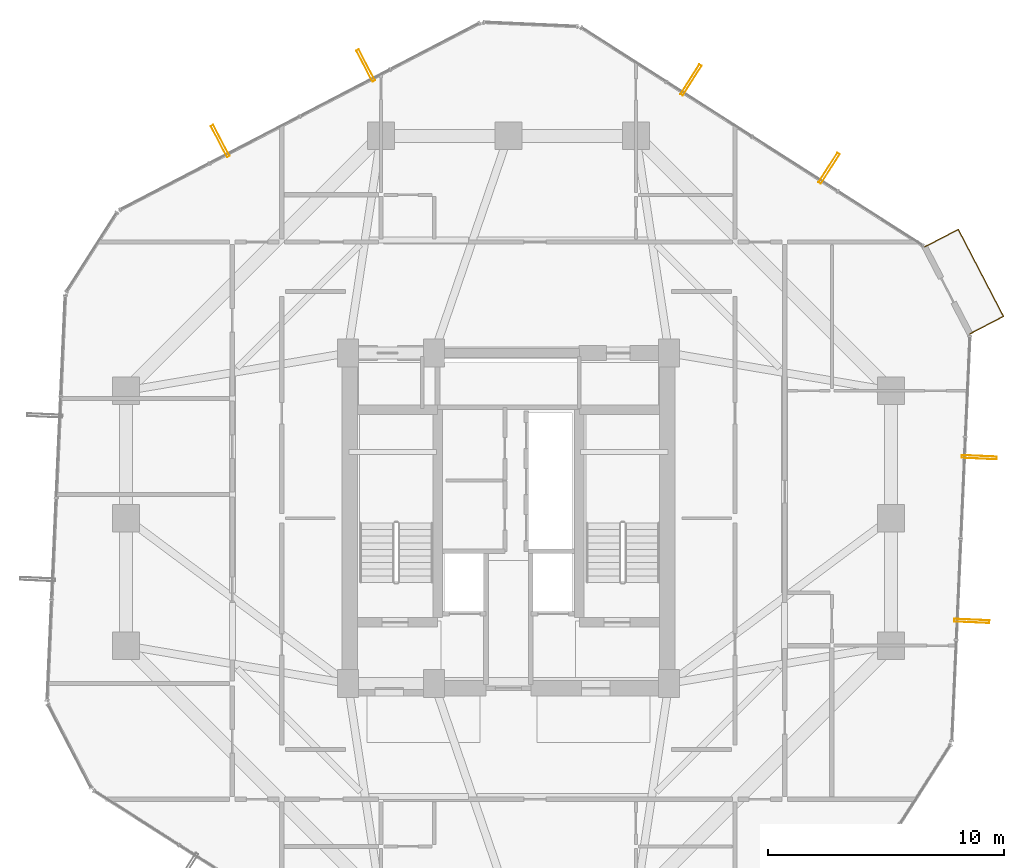
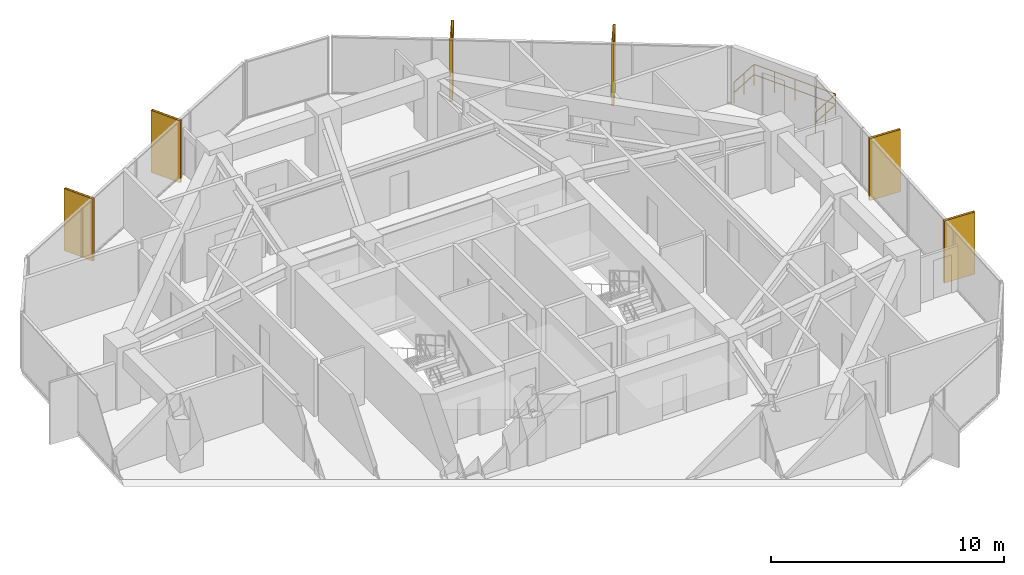
# One storey, part 30 of 30: 6 shading devices, 1 railing.
"""IFC4 building model written with IfcOpenShell, lengths in metres."""

from ifc_helpers import new_model, si_unit, direction, frame, origin, origin_2d, place, context, subcontext, project, spatial, hollow_rectangle, circle, extrude, material, material_profile, profile_set, type_object, element, save


model = new_model("IFC4")

# Units and contexts
model_context = context("Model", 3, precision=1e-05, world=origin(), true_north=direction((0.0, 1.0)))
body_context = subcontext(model_context, "Body", "Model", "MODEL_VIEW")
ifc_project = project(units=[si_unit("LENGTHUNIT", "METRE"), si_unit("AREAUNIT", "SQUARE_METRE"), si_unit("VOLUMEUNIT", "CUBIC_METRE"), si_unit("PLANEANGLEUNIT", "RADIAN"), si_unit("MASSUNIT", "GRAM", prefix="KILO")], contexts=[model_context])

# Site, building, storey
site_placement = place(None, origin())
site = spatial("IfcSite", under=ifc_project, at=site_placement, CompositionType="ELEMENT")
building_placement = place(site_placement, origin())
building = spatial("IfcBuilding", under=site, at=building_placement, Name="Veraguas Prism Commons", CompositionType="ELEMENT")
storey_placement = place(building_placement, frame((0.0, 0.0, 119.75)))
storey = spatial("IfcBuildingStorey", under=building, at=storey_placement, Name="L33", CompositionType="ELEMENT", Elevation=119.75)

# Shading devices
ifc_material_1 = material(Name="Anodised aluminium EN AW-6063 T6", Category="aluminium")
ifc_material_profile = material_profile(ifc_material_1, hollow_rectangle(XDim=0.1201171875, YDim=1.489990234375, WallThickness=0.006103515625, at=origin_2d()), Name="FIN120X1490X6")
ifc_profile_set = profile_set([ifc_material_profile], Name="Anodised aluminium EN AW-6063 T6")
shading_device_type = type_object("IfcShadingDeviceType", Name="Deep Pale-Metal Vertical Solar Fin 120x1490", PredefinedType="USERDEFINED", material=ifc_profile_set)
for number, where, z_axis, x_axis, name in (
    (1, (37.58544921875, 38.826416015625, -0.22998046875), (0.0, 0.0, 1.0), (-0.842828324641, 0.538182511035, 0.0), "Vertical Pale-Metal Solar Fin L33-F1A"),
    (2, (31.734619140625, 42.562255859375, -0.22998046875), (0.0, 0.0, 1.0), (-0.842828324641, 0.538182511035, 0.0), "Vertical Pale-Metal Solar Fin L33-F1B"),
    (3, (17.95263671875, 43.178466796875, -0.22998046875), (0.0, 0.0, 1.0), (-0.887494693029, -0.460817935681, 0.0), "Vertical Pale-Metal Solar Fin L33-F2A"),
    (4, (11.7919921875, 39.9794921875, -0.22998046875), (0.0, 0.0, 1.0), (-0.887494693029, -0.460817935681, 0.0), "Vertical Pale-Metal Solar Fin L33-F2B"),
    (5, (43.632568359375, 19.64794921875, -0.22998046875), (0.0, 0.0, 1.0), (0.044669051283, 0.999001839767, 0.0), "Vertical Pale-Metal Solar Fin L33-F6A"),
    (6, (43.942626953125, 26.582763671875, -0.22998046875), (0.0, 0.0, 1.0), (0.044669051283, 0.999001839767, 0.0), "Vertical Pale-Metal Solar Fin L33-F6B"),
):
    element("IfcShadingDevice", number, at=place(storey_placement, frame(where, z_axis=z_axis, x_axis=x_axis)), inside=storey, type_object=shading_device_type, Name=name, ObjectType="FIN", PredefinedType="USERDEFINED", context=body_context, shape_type="SweptSolid", body=[
        extrude(hollow_rectangle(XDim=0.1201171875, YDim=1.489990234375, WallThickness=0.006103515625, at=origin_2d()), origin(), (0.0, 0.0, 1.0), 3.25),
    ])

# Railing
ifc_material_2 = material(Name="Stainless steel AISI 316", Category="steel")
railing_type = type_object("IfcRailingType", Name="Loggia and Sky Pool Glazed Balustrade 1120", PredefinedType="BALUSTRADE", material=ifc_material_2)
railing_placement = place(storey_placement, frame((43.55078125, 31.811767578125, 0.0)))
element("IfcRailing", 7, at=railing_placement, inside=storey, type_object=railing_type, Name="Recessed Corner Loggia L33-C1 Guard", PredefinedType="BALUSTRADE", context=body_context, shape_type="SweptSolid", body=[
    extrude(circle(Radius=0.02392578125, at=origin_2d()), frame((0.0, 0.0, 1.09619140625), z_axis=(0.887518875046, 0.460771360261, 0.0), x_axis=(-0.460771360261, 0.887518875046, 0.0)), (0.0, 0.0, 1.0), 1.60009765625),
    extrude(circle(Radius=0.02392578125, at=origin_2d()), frame((0.0, 0.0, 0.56005859375), z_axis=(0.887518875046, 0.460771360261, 0.0), x_axis=(-0.460771360261, 0.887518875046, 0.0)), (0.0, 0.0, 1.0), 1.60009765625),
    extrude(circle(Radius=0.02392578125, at=origin_2d()), frame((1.420166015625, 0.7373046875, 1.09619140625), z_axis=(-0.460869584981, 0.887467873018, 0.0), x_axis=(-0.887467873018, -0.460869584981, 0.0)), (0.0, 0.0, 1.0), 4.153076171875),
    extrude(circle(Radius=0.02392578125, at=origin_2d()), frame((1.420166015625, 0.7373046875, 0.56005859375), z_axis=(-0.460869584981, 0.887467873018, 0.0), x_axis=(-0.887467873018, -0.460869584981, 0.0)), (0.0, 0.0, 1.0), 4.153076171875),
    extrude(circle(Radius=0.02392578125, at=origin_2d()), frame((-0.493896484375, 4.423095703125, 1.09619140625), z_axis=(-0.887486475591, -0.460833761397, 0.0), x_axis=(0.460833761397, -0.887486475591, 0.0)), (0.0, 0.0, 1.0), 1.599853515625),
    extrude(circle(Radius=0.02392578125, at=origin_2d()), frame((-0.493896484375, 4.423095703125, 0.56005859375), z_axis=(-0.887486475591, -0.460833761397, 0.0), x_axis=(0.460833761397, -0.887486475591, 0.0)), (0.0, 0.0, 1.0), 1.599853515625),
    extrude(circle(Radius=0.02099609375, at=origin_2d()), origin(), (0.0, 0.0, 1.0), 1.072021484375),
    extrude(circle(Radius=0.02099609375, at=origin_2d()), frame((0.7099609375, 0.36865234375, 0.0)), (0.0, 0.0, 1.0), 1.072021484375),
    extrude(circle(Radius=0.02099609375, at=origin_2d()), frame((1.420166015625, 0.7373046875, 0.0)), (0.0, 0.0, 1.0), 1.072021484375),
    extrude(circle(Radius=0.02099609375, at=origin_2d()), frame((0.941650390625, 1.65869140625, 0.0)), (0.0, 0.0, 1.0), 1.072021484375),
    extrude(circle(Radius=0.02099609375, at=origin_2d()), frame((0.463134765625, 2.580078125, 0.0)), (0.0, 0.0, 1.0), 1.072021484375),
    extrude(circle(Radius=0.02099609375, at=origin_2d()), frame((-0.015380859375, 3.501708984375, 0.0)), (0.0, 0.0, 1.0), 1.072021484375),
    extrude(circle(Radius=0.02099609375, at=origin_2d()), frame((-0.493896484375, 4.423095703125, 0.0)), (0.0, 0.0, 1.0), 1.072021484375),
    extrude(circle(Radius=0.02099609375, at=origin_2d()), frame((-1.203857421875, 4.054443359375, 0.0)), (0.0, 0.0, 1.0), 1.072021484375),
    extrude(circle(Radius=0.02099609375, at=origin_2d()), frame((-1.913818359375, 3.685791015625, 0.0)), (0.0, 0.0, 1.0), 1.072021484375),
])

save(model, "model.ifc")
